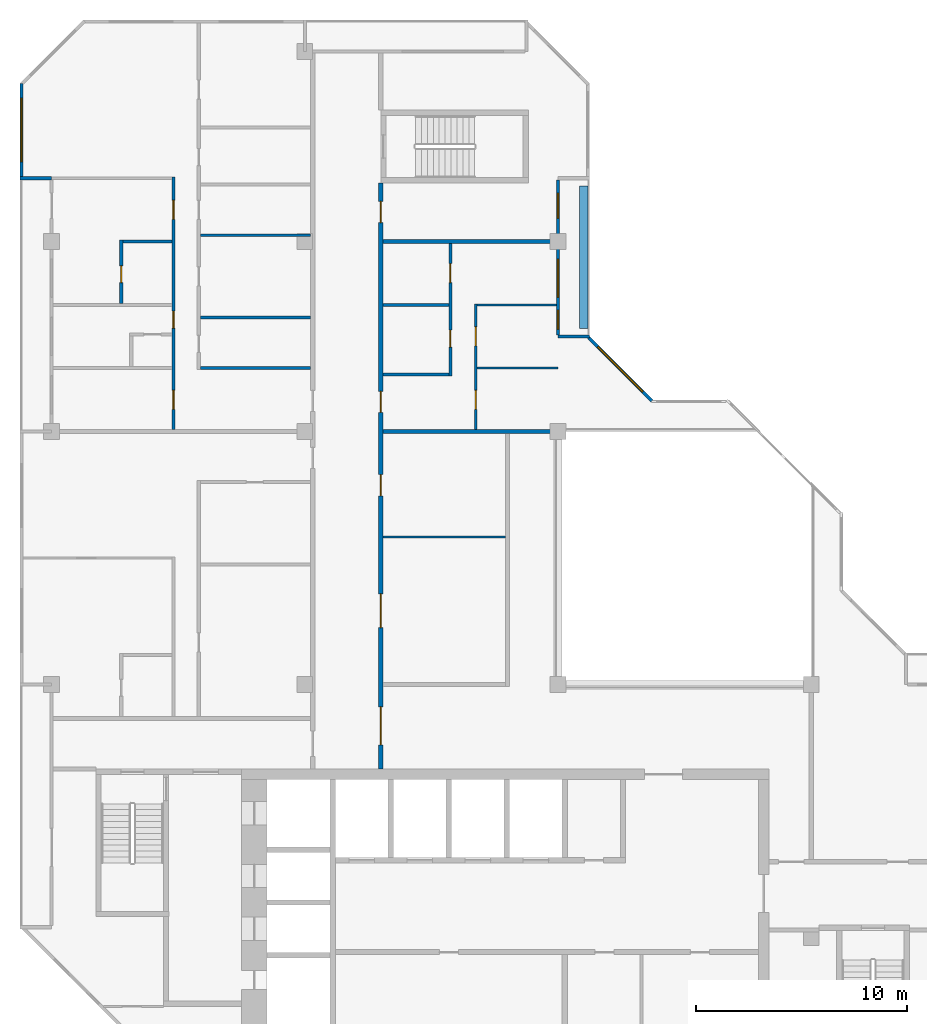
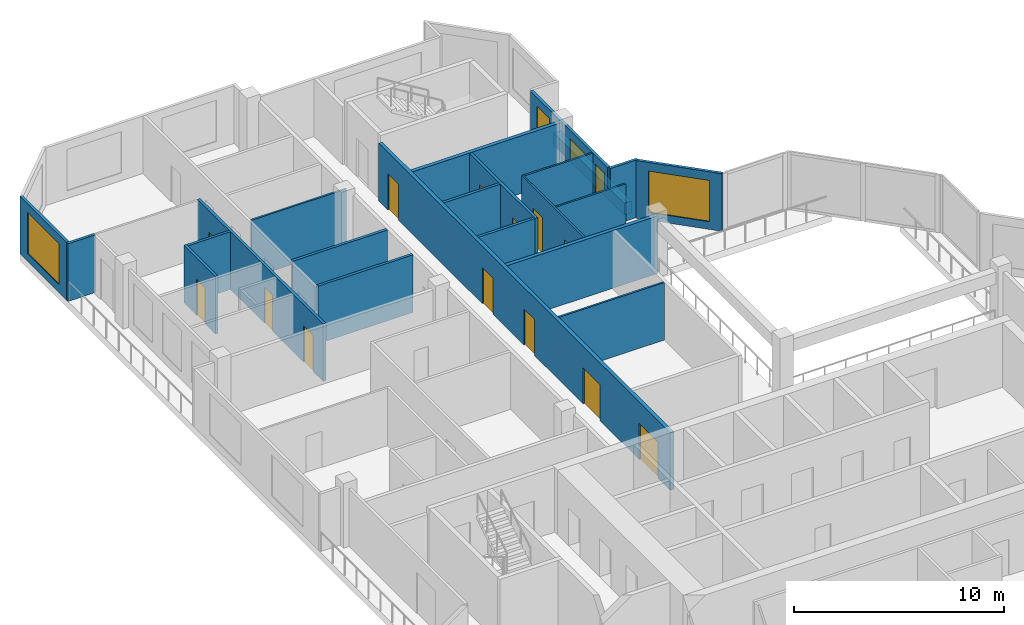
# One storey, part 8 of 12: 22 walls, 13 doors, 5 windows, 18 openings.
"""IFC4 building model written with IfcOpenShell, lengths in metres."""

from ifc_helpers import new_model, si_unit, direction, frame, frame_2d, origin, place, context, subcontext, project, spatial, rectangle, extrude, material, layer, layer_set, type_object, element, fill, save


model = new_model("IFC4")

# Units and contexts
model_context = context("Model", 3, precision=1e-05, world=origin(), true_north=direction((0.0, 1.0)))
body_context = subcontext(model_context, "Body", "Model", "MODEL_VIEW")
ifc_project = project(units=[si_unit("LENGTHUNIT", "METRE"), si_unit("AREAUNIT", "SQUARE_METRE"), si_unit("VOLUMEUNIT", "CUBIC_METRE"), si_unit("PLANEANGLEUNIT", "RADIAN"), si_unit("MASSUNIT", "GRAM", prefix="KILO")], contexts=[model_context])

# Site, building, storey
site_placement = place(None, origin())
site = spatial("IfcSite", under=ifc_project, at=site_placement, CompositionType="ELEMENT")
building_placement = place(site_placement, origin())
building = spatial("IfcBuilding", under=site, at=building_placement, Name="Chenar Terraces", CompositionType="ELEMENT")
storey_placement = place(building_placement, frame((0.0, 0.0, 350.14990234375)))
storey = spatial("IfcBuildingStorey", under=building, at=storey_placement, Name="L81", CompositionType="ELEMENT", Elevation=350.14990234375)

# Wall, openings, doors
ifc_material_1 = material(Name="Gypsum board on steel studs with fire boards", Category="steel")
ifc_layer_1 = layer(ifc_material_1, 0.199951171875)
ifc_layer_set_1 = layer_set([ifc_layer_1], Name="Gypsum board on steel studs with fire boards")
wall_type_1 = type_object("IfcWallType", Name="Corridor wall 200", PredefinedType="PARTITIONING", material=ifc_layer_set_1)
wall_1_placement = place(storey_placement, frame((15.60009765625, 20.0, 0.0), z_axis=(0.0, 0.0, 1.0), x_axis=(0.0, 1.0, 0.0)))
wall_1 = element("IfcWall", 1, at=wall_1_placement, inside=storey, type_object=wall_type_1, Name="Partition L81-031", PredefinedType="PARTITIONING", context=body_context, shape_type="SweptSolid", body=[
    extrude(rectangle(XDim=27.77490234375, YDim=0.199951171875, at=frame_2d((13.887451171875, 0.0))), origin(), (0.0, 0.0, 1.0), 3.35009765625),
])
opening_1_placement = place(wall_1_placement, frame((6.699951171875, 0.0, 0.0)))
opening_1 = element("IfcOpeningElement", 2, at=opening_1_placement, cuts=wall_1, Name="Opening DL81-1", PredefinedType="OPENING", context=body_context, shape_type="SweptSolid", body=[
    extrude(rectangle(XDim=1.60009765625, YDim=2.10009765625, at=frame_2d((0.800048828125, 1.050048828125))), frame((0.0, 0.10986328125, 0.0), z_axis=(0.0, -1.0, 0.0), x_axis=(1.0, 0.0, 0.0)), (0.0, 0.0, 1.0), 0.219970703125),
])
opening_2_placement = place(wall_1_placement, frame((12.949951171875, 0.0, 0.0)))
opening_2 = element("IfcOpeningElement", 3, at=opening_2_placement, cuts=wall_1, Name="Opening DL81-2", PredefinedType="OPENING", context=body_context, shape_type="SweptSolid", body=[
    extrude(rectangle(XDim=1.0, YDim=2.10009765625, at=frame_2d((0.5, 1.050048828125))), frame((0.0, 0.10986328125, 0.0), z_axis=(0.0, -1.0, 0.0), x_axis=(1.0, 0.0, 0.0)), (0.0, 0.0, 1.0), 0.219970703125),
])
opening_3_placement = place(wall_1_placement, frame((16.89990234375, 0.0, 0.0)))
opening_3 = element("IfcOpeningElement", 4, at=opening_3_placement, cuts=wall_1, Name="Opening DL81-8", PredefinedType="OPENING", context=body_context, shape_type="SweptSolid", body=[
    extrude(rectangle(XDim=1.0, YDim=2.10009765625, at=frame_2d((0.5, 1.050048828125))), frame((0.0, 0.10986328125, 0.0), z_axis=(0.0, -1.0, 0.0), x_axis=(1.0, 0.0, 0.0)), (0.0, 0.0, 1.0), 0.219970703125),
])
opening_4_placement = place(wall_1_placement, frame((1.14990234375, 0.0, 0.0)))
opening_4 = element("IfcOpeningElement", 5, at=opening_4_placement, cuts=wall_1, Name="Opening DL81-21", PredefinedType="OPENING", context=body_context, shape_type="SweptSolid", body=[
    extrude(rectangle(XDim=1.800048828125, YDim=2.10009765625, at=frame_2d((0.89990234375, 1.050048828125))), frame((0.0, 0.10986328125, 0.0), z_axis=(0.0, -1.0, 0.0), x_axis=(1.0, 0.0, 0.0)), (0.0, 0.0, 1.0), 0.219970703125),
])
opening_5_placement = place(wall_1_placement, frame((25.89990234375, 0.0, 0.0)))
opening_5 = element("IfcOpeningElement", 6, at=opening_5_placement, cuts=wall_1, Name="Opening DL81-24", PredefinedType="OPENING", context=body_context, shape_type="SweptSolid", body=[
    extrude(rectangle(XDim=1.0, YDim=2.10009765625, at=frame_2d((0.5, 1.050048828125))), frame((0.0, 0.10986328125, 0.0), z_axis=(0.0, -1.0, 0.0), x_axis=(1.0, 0.0, 0.0)), (0.0, 0.0, 1.0), 0.219970703125),
])
ifc_material_2 = material(Name="Steel-framed fire-resisting door leaf", Category="steel")
door_type_1 = type_object("IfcDoorType", Name="Fire door FD60 1000 x 2100", OperationType="SINGLE_SWING_LEFT", PredefinedType="DOOR", material=ifc_material_2)
door_1_placement = place(opening_2_placement, frame((1.0, 0.0, 0.0), z_axis=(0.0, 0.0, 1.0), x_axis=(-1.0, 0.0, 0.0)))
door_1 = element("IfcDoor", 7, at=door_1_placement, inside=storey, type_object=door_type_1, Name="Door DL81-2", OperationType="SINGLE_SWING_LEFT", OverallHeight=2.10009765625, OverallWidth=1.0, PredefinedType="DOOR", context=body_context, shape_type="SweptSolid", body=[
    extrude(rectangle(XDim=1.0, YDim=2.10009765625, at=frame_2d((0.5, 1.050048828125))), frame((0.0, 0.02490234375, 0.0), z_axis=(0.0, -1.0, 0.0), x_axis=(1.0, 0.0, 0.0)), (0.0, 0.0, 1.0), 0.050048828125),
])
fill(opening_2, door_1)
door_2_placement = place(opening_3_placement, frame((1.0, 0.0, 0.0), z_axis=(0.0, 0.0, 1.0), x_axis=(-1.0, 0.0, 0.0)))
door_2 = element("IfcDoor", 8, at=door_2_placement, inside=storey, type_object=door_type_1, Name="Door DL81-8", OperationType="SINGLE_SWING_LEFT", OverallHeight=2.10009765625, OverallWidth=1.0, PredefinedType="DOOR", context=body_context, shape_type="SweptSolid", body=[
    extrude(rectangle(XDim=1.0, YDim=2.10009765625, at=frame_2d((0.5, 1.050048828125))), frame((0.0, 0.02490234375, 0.0), z_axis=(0.0, -1.0, 0.0), x_axis=(1.0, 0.0, 0.0)), (0.0, 0.0, 1.0), 0.050048828125),
])
fill(opening_3, door_2)
door_3_placement = place(opening_5_placement, frame((1.0, 0.0, 0.0), z_axis=(0.0, 0.0, 1.0), x_axis=(-1.0, 0.0, 0.0)))
door_3 = element("IfcDoor", 9, at=door_3_placement, inside=storey, type_object=door_type_1, Name="Door DL81-24", OperationType="SINGLE_SWING_RIGHT", OverallHeight=2.10009765625, OverallWidth=1.0, PredefinedType="DOOR", context=body_context, shape_type="SweptSolid", body=[
    extrude(rectangle(XDim=1.0, YDim=2.10009765625, at=frame_2d((0.5, 1.050048828125))), frame((0.0, 0.02490234375, 0.0), z_axis=(0.0, -1.0, 0.0), x_axis=(1.0, 0.0, 0.0)), (0.0, 0.0, 1.0), 0.050048828125),
])
fill(opening_5, door_3)
ifc_material_3 = material(Name="Steel-framed fire-resisting door leaf", Category="steel")
door_type_2 = type_object("IfcDoorType", Name="Fire double door FD60 1600 x 2100", OperationType="DOUBLE_DOOR_SINGLE_SWING", PredefinedType="DOOR", material=ifc_material_3)
door_4_placement = place(opening_1_placement, frame((1.60009765625, 0.0, 0.0), z_axis=(0.0, 0.0, 1.0), x_axis=(-1.0, 0.0, 0.0)))
door_4 = element("IfcDoor", 10, at=door_4_placement, inside=storey, type_object=door_type_2, Name="Door DL81-1", OperationType="DOUBLE_DOOR_SINGLE_SWING", OverallHeight=2.10009765625, OverallWidth=1.60009765625, PredefinedType="DOOR", context=body_context, shape_type="SweptSolid", body=[
    extrude(rectangle(XDim=1.60009765625, YDim=2.10009765625, at=frame_2d((0.800048828125, 1.050048828125))), frame((0.0, 0.02490234375, 0.0), z_axis=(0.0, -1.0, 0.0), x_axis=(1.0, 0.0, 0.0)), (0.0, 0.0, 1.0), 0.050048828125),
])
fill(opening_1, door_4)
ifc_material_4 = material(Name="Steel-framed fire-resisting door leaf", Category="steel")
door_type_3 = type_object("IfcDoorType", Name="Fire double door FD60 1800 x 2100", OperationType="DOUBLE_DOOR_SINGLE_SWING", PredefinedType="DOOR", material=ifc_material_4)
door_5_placement = place(opening_4_placement, frame((1.800048828125, 0.0, 0.0), z_axis=(0.0, 0.0, 1.0), x_axis=(-1.0, 0.0, 0.0)))
door_5 = element("IfcDoor", 11, at=door_5_placement, inside=storey, type_object=door_type_3, Name="Door DL81-21", OperationType="DOUBLE_DOOR_SINGLE_SWING", OverallHeight=2.10009765625, OverallWidth=1.800048828125, PredefinedType="DOOR", context=body_context, shape_type="SweptSolid", body=[
    extrude(rectangle(XDim=1.800048828125, YDim=2.10009765625, at=frame_2d((0.89990234375, 1.050048828125))), frame((0.0, 0.02490234375, 0.0), z_axis=(0.0, -1.0, 0.0), x_axis=(1.0, 0.0, 0.0)), (0.0, 0.0, 1.0), 0.050048828125),
])
fill(opening_4, door_5)

# Wall, opening, window
ifc_material_5 = material(Name="Aluminium framed glazing", Category="aluminium")
ifc_layer_2 = layer(ifc_material_5, 0.14990234375)
ifc_layer_set_2 = layer_set([ifc_layer_2], Name="Aluminium framed glazing")
wall_type_2 = type_object("IfcWallType", Name="Glazed flush facade wall 150", PredefinedType="SOLIDWALL", material=ifc_layer_set_2)
wall_2_placement = place(storey_placement, frame((-1.425048828125, 52.5, 0.0), z_axis=(0.0, 0.0, 1.0), x_axis=(0.0, -1.0, 0.0)))
wall_2 = element("IfcWall", 12, at=wall_2_placement, inside=storey, type_object=wall_type_2, Name="Glazed flush facade wall", PredefinedType="SOLIDWALL", context=body_context, shape_type="SweptSolid", body=[
    extrude(rectangle(XDim=4.425048828125, YDim=0.14990234375, at=frame_2d((2.21240234375, 0.0))), origin(), (0.0, 0.0, 1.0), 3.35009765625),
])
opening_6_placement = place(wall_2_placement, frame((0.71240234375, 0.0, 0.449951171875)))
opening_6 = element("IfcOpeningElement", 13, at=opening_6_placement, cuts=wall_2, Name="Opening W300x240", PredefinedType="OPENING", context=body_context, shape_type="SweptSolid", body=[
    extrude(rectangle(XDim=3.0, YDim=2.39990234375, at=frame_2d((1.5, 1.199951171875))), frame((0.0, 0.0849609375, 0.0), z_axis=(0.0, -1.0, 0.0), x_axis=(1.0, 0.0, 0.0)), (0.0, 0.0, 1.0), 0.169921875),
])
ifc_material_6 = material(Name="Low emissivity double glazing, aluminium frame", Category="aluminium")
window_type_1 = type_object("IfcWindowType", Name="Fixed light 3000 x 2400", PartitioningType="SINGLE_PANEL", PredefinedType="WINDOW", material=ifc_material_6)
window_1_placement = place(opening_6_placement, origin())
window_1 = element("IfcWindow", 14, at=window_1_placement, inside=storey, type_object=window_type_1, Name="Window", OverallHeight=2.39990234375, OverallWidth=3.0, PartitioningType="SINGLE_PANEL", PredefinedType="WINDOW", context=body_context, shape_type="SweptSolid", body=[
    extrude(rectangle(XDim=3.0, YDim=2.39990234375, at=frame_2d((1.5, 1.199951171875))), frame((0.0, 0.030029296875, 0.0), z_axis=(0.0, -1.0, 0.0), x_axis=(1.0, 0.0, 0.0)), (0.0, 0.0, 1.0), 0.06005859375),
])
fill(opening_6, window_1)

# Wall, openings, windows
ifc_material_7 = material(Name="Aluminium framed glazing", Category="aluminium")
ifc_layer_3 = layer(ifc_material_7, 0.14990234375)
ifc_layer_set_3 = layer_set([ifc_layer_3], Name="Aluminium framed glazing")
wall_type_3 = type_object("IfcWallType", Name="Glazed loggia back wall 150", PredefinedType="SOLIDWALL", material=ifc_layer_set_3)
wall_3_placement = place(storey_placement, frame((24.0, 40.574951171875, 0.0), z_axis=(0.0, 0.0, 1.0), x_axis=(0.0, 1.0, 0.0)))
wall_3 = element("IfcWall", 15, at=wall_3_placement, inside=storey, type_object=wall_type_3, Name="Glazed loggia back wall", PredefinedType="SOLIDWALL", context=body_context, shape_type="SweptSolid", body=[
    extrude(rectangle(XDim=7.35009765625, YDim=0.14990234375, at=frame_2d((3.675048828125, 0.0))), origin(), (0.0, 0.0, 1.0), 3.35009765625),
])
opening_7_placement = place(wall_3_placement, frame((0.262451171875, 0.0, 0.449951171875)))
opening_7 = element("IfcOpeningElement", 16, at=opening_7_placement, cuts=wall_3, Name="Opening W90x240", PredefinedType="OPENING", context=body_context, shape_type="SweptSolid", body=[
    extrude(rectangle(XDim=0.89990234375, YDim=2.39990234375, at=frame_2d((0.449951171875, 1.199951171875))), frame((0.0, 0.0849609375, 0.0), z_axis=(0.0, -1.0, 0.0), x_axis=(1.0, 0.0, 0.0)), (0.0, 0.0, 1.0), 0.169921875),
])
opening_8_placement = place(wall_3_placement, frame((1.78759765625, 0.0, 0.449951171875)))
opening_8 = element("IfcOpeningElement", 17, at=opening_8_placement, cuts=wall_3, Name="Opening W180x240", PredefinedType="OPENING", context=body_context, shape_type="SweptSolid", body=[
    extrude(rectangle(XDim=1.800048828125, YDim=2.39990234375, at=frame_2d((0.89990234375, 1.199951171875))), frame((0.0, 0.0849609375, 0.0), z_axis=(0.0, -1.0, 0.0), x_axis=(1.0, 0.0, 0.0)), (0.0, 0.0, 1.0), 0.169921875),
])
opening_9_placement = place(wall_3_placement, frame((5.52490234375, 0.0, 0.449951171875)))
opening_9 = element("IfcOpeningElement", 18, at=opening_9_placement, cuts=wall_3, Name="Opening W120x240", PredefinedType="OPENING", context=body_context, shape_type="SweptSolid", body=[
    extrude(rectangle(XDim=1.199951171875, YDim=2.39990234375, at=frame_2d((0.60009765625, 1.199951171875))), frame((0.0, 0.0849609375, 0.0), z_axis=(0.0, -1.0, 0.0), x_axis=(1.0, 0.0, 0.0)), (0.0, 0.0, 1.0), 0.169921875),
])
ifc_material_8 = material(Name="Low emissivity double glazing, aluminium frame", Category="aluminium")
window_type_2 = type_object("IfcWindowType", Name="Fixed light 1200 x 2400", PartitioningType="SINGLE_PANEL", PredefinedType="WINDOW", material=ifc_material_8)
window_2_placement = place(opening_9_placement, origin())
window_2 = element("IfcWindow", 19, at=window_2_placement, inside=storey, type_object=window_type_2, Name="Window", OverallHeight=2.39990234375, OverallWidth=1.199951171875, PartitioningType="SINGLE_PANEL", PredefinedType="WINDOW", context=body_context, shape_type="SweptSolid", body=[
    extrude(rectangle(XDim=1.199951171875, YDim=2.39990234375, at=frame_2d((0.60009765625, 1.199951171875))), frame((0.0, 0.030029296875, 0.0), z_axis=(0.0, -1.0, 0.0), x_axis=(1.0, 0.0, 0.0)), (0.0, 0.0, 1.0), 0.06005859375),
])
fill(opening_9, window_2)
ifc_material_9 = material(Name="Low emissivity double glazing, aluminium frame", Category="aluminium")
window_type_3 = type_object("IfcWindowType", Name="Fixed light 1800 x 2400", PartitioningType="SINGLE_PANEL", PredefinedType="WINDOW", material=ifc_material_9)
window_3_placement = place(opening_8_placement, origin())
window_3 = element("IfcWindow", 20, at=window_3_placement, inside=storey, type_object=window_type_3, Name="Window", OverallHeight=2.39990234375, OverallWidth=1.800048828125, PartitioningType="SINGLE_PANEL", PredefinedType="WINDOW", context=body_context, shape_type="SweptSolid", body=[
    extrude(rectangle(XDim=1.800048828125, YDim=2.39990234375, at=frame_2d((0.89990234375, 1.199951171875))), frame((0.0, 0.030029296875, 0.0), z_axis=(0.0, -1.0, 0.0), x_axis=(1.0, 0.0, 0.0)), (0.0, 0.0, 1.0), 0.06005859375),
])
fill(opening_8, window_3)
ifc_material_10 = material(Name="Low emissivity double glazing, aluminium frame", Category="aluminium")
window_type_4 = type_object("IfcWindowType", Name="Fixed light 900 x 2400", PartitioningType="SINGLE_PANEL", PredefinedType="WINDOW", material=ifc_material_10)
window_4_placement = place(opening_7_placement, origin())
window_4 = element("IfcWindow", 21, at=window_4_placement, inside=storey, type_object=window_type_4, Name="Window", OverallHeight=2.39990234375, OverallWidth=0.89990234375, PartitioningType="SINGLE_PANEL", PredefinedType="WINDOW", context=body_context, shape_type="SweptSolid", body=[
    extrude(rectangle(XDim=0.89990234375, YDim=2.39990234375, at=frame_2d((0.449951171875, 1.199951171875))), frame((0.0, 0.030029296875, 0.0), z_axis=(0.0, -1.0, 0.0), x_axis=(1.0, 0.0, 0.0)), (0.0, 0.0, 1.0), 0.06005859375),
])
fill(opening_7, window_4)

# Walls
ifc_material_11 = material(Name="Gypsum board on steel studs", Category="steel")
ifc_layer_4 = layer(ifc_material_11, 0.10009765625)
ifc_layer_set_4 = layer_set([ifc_layer_4], Name="Gypsum board on steel studs")
wall_type_4 = type_object("IfcWallType", Name="Gypsum partition 100", PredefinedType="PARTITIONING", material=ifc_layer_set_4)
wall_4_placement = place(storey_placement, frame((7.050048828125, 45.300048828125, 0.0), z_axis=(0.0, 0.0, 1.0), x_axis=(1.0, 0.0, 0.0)))
element("IfcWall", 22, at=wall_4_placement, inside=storey, type_object=wall_type_4, Name="Partition L81-023", PredefinedType="PARTITIONING", context=body_context, shape_type="SweptSolid", body=[
    extrude(rectangle(XDim=5.224853515625, YDim=0.10009765625, at=frame_2d((2.6123046875, 0.0))), origin(), (0.0, 0.0, 1.0), 3.35009765625),
])
wall_5_placement = place(storey_placement, frame((15.699951171875, 31.0, 0.0), z_axis=(0.0, 0.0, 1.0), x_axis=(1.0, 0.0, 0.0)))
element("IfcWall", 23, at=wall_5_placement, inside=storey, type_object=wall_type_4, Name="Partition L81-034", PredefinedType="PARTITIONING", context=body_context, shape_type="SweptSolid", body=[
    extrude(rectangle(XDim=5.800048828125, YDim=0.10009765625, at=frame_2d((2.89990234375, 0.0))), origin(), (0.0, 0.0, 1.0), 3.35009765625),
])

# Wall, openings, doors
wall_6_placement = place(storey_placement, frame((20.10009765625, 36.10009765625, 0.0), z_axis=(0.0, 0.0, 1.0), x_axis=(0.0, 1.0, 0.0)))
wall_6 = element("IfcWall", 24, at=wall_6_placement, inside=storey, type_object=wall_type_4, Name="Partition L81-040", PredefinedType="PARTITIONING", context=body_context, shape_type="SweptSolid", body=[
    extrude(rectangle(XDim=5.949951171875, YDim=0.10009765625, at=frame_2d((2.97509765625, 0.0))), origin(), (0.0, 0.0, 1.0), 3.35009765625),
])
opening_10_placement = place(wall_6_placement, frame((0.949951171875, 0.0, 0.0)))
opening_10 = element("IfcOpeningElement", 25, at=opening_10_placement, cuts=wall_6, Name="Opening DL81-5", PredefinedType="OPENING", context=body_context, shape_type="SweptSolid", body=[
    extrude(rectangle(XDim=0.89990234375, YDim=2.10009765625, at=frame_2d((0.449951171875, 1.050048828125))), frame((0.0, 0.06005859375, 0.0), z_axis=(0.0, -1.0, 0.0), x_axis=(1.0, 0.0, 0.0)), (0.0, 0.0, 1.0), 0.1201171875),
])
opening_11_placement = place(wall_6_placement, frame((3.949951171875, 0.0, 0.0)))
opening_11 = element("IfcOpeningElement", 26, at=opening_11_placement, cuts=wall_6, Name="Opening DL81-6", PredefinedType="OPENING", context=body_context, shape_type="SweptSolid", body=[
    extrude(rectangle(XDim=0.89990234375, YDim=2.10009765625, at=frame_2d((0.449951171875, 1.050048828125))), frame((0.0, 0.06005859375, 0.0), z_axis=(0.0, -1.0, 0.0), x_axis=(1.0, 0.0, 0.0)), (0.0, 0.0, 1.0), 0.1201171875),
])
ifc_material_12 = material(Name="Veneered timber door leaf", Category="wood")
door_type_4 = type_object("IfcDoorType", Name="Door 900 x 2100", OperationType="SINGLE_SWING_LEFT", PredefinedType="DOOR", material=ifc_material_12)
door_6_placement = place(opening_10_placement, frame((0.89990234375, 0.0, 0.0), z_axis=(0.0, 0.0, 1.0), x_axis=(-1.0, 0.0, 0.0)))
door_6 = element("IfcDoor", 27, at=door_6_placement, inside=storey, type_object=door_type_4, Name="Door DL81-5", OperationType="SINGLE_SWING_LEFT", OverallHeight=2.10009765625, OverallWidth=0.89990234375, PredefinedType="DOOR", context=body_context, shape_type="SweptSolid", body=[
    extrude(rectangle(XDim=0.89990234375, YDim=2.10009765625, at=frame_2d((0.449951171875, 1.050048828125))), frame((0.0, 0.02490234375, 0.0), z_axis=(0.0, -1.0, 0.0), x_axis=(1.0, 0.0, 0.0)), (0.0, 0.0, 1.0), 0.050048828125),
])
fill(opening_10, door_6)
door_7_placement = place(opening_11_placement, frame((0.89990234375, 0.0, 0.0), z_axis=(0.0, 0.0, 1.0), x_axis=(-1.0, 0.0, 0.0)))
door_7 = element("IfcDoor", 28, at=door_7_placement, inside=storey, type_object=door_type_4, Name="Door DL81-6", OperationType="SINGLE_SWING_LEFT", OverallHeight=2.10009765625, OverallWidth=0.89990234375, PredefinedType="DOOR", context=body_context, shape_type="SweptSolid", body=[
    extrude(rectangle(XDim=0.89990234375, YDim=2.10009765625, at=frame_2d((0.449951171875, 1.050048828125))), frame((0.0, 0.02490234375, 0.0), z_axis=(0.0, -1.0, 0.0), x_axis=(1.0, 0.0, 0.0)), (0.0, 0.0, 1.0), 0.050048828125),
])
fill(opening_11, door_7)

# Walls
wall_7_placement = place(storey_placement, frame((20.14990234375, 39.0, 0.0), z_axis=(0.0, 0.0, 1.0), x_axis=(1.0, 0.0, 0.0)))
element("IfcWall", 29, at=wall_7_placement, inside=storey, type_object=wall_type_4, Name="Partition L81-041", PredefinedType="PARTITIONING", context=body_context, shape_type="SweptSolid", body=[
    extrude(rectangle(XDim=3.85009765625, YDim=0.10009765625, at=frame_2d((1.925048828125, 0.0))), origin(), (0.0, 0.0, 1.0), 3.35009765625),
])
wall_8_placement = place(storey_placement, frame((20.14990234375, 42.0, 0.0), z_axis=(0.0, 0.0, 1.0), x_axis=(1.0, 0.0, 0.0)))
element("IfcWall", 30, at=wall_8_placement, inside=storey, type_object=wall_type_4, Name="Partition L81-042", PredefinedType="PARTITIONING", context=body_context, shape_type="SweptSolid", body=[
    extrude(rectangle(XDim=3.776123046875, YDim=0.10009765625, at=frame_2d((1.88818359375, 0.0))), origin(), (0.0, 0.0, 1.0), 3.35009765625),
])
ifc_material_13 = material(Name="Terracotta cladding on insulated backing", Category="masonry")
ifc_layer_5 = layer(ifc_material_13, 0.14990234375)
ifc_layer_set_5 = layer_set([ifc_layer_5], Name="Terracotta cladding on insulated backing")
wall_type_5 = type_object("IfcWallType", Name="Loggia return wall 150", PredefinedType="SOLIDWALL", material=ifc_layer_set_5)
for number, where, z_axis, x_axis, name in (
    (31, (25.5, 40.5, 0.0), (0.0, 0.0, 1.0), (-1.0, 0.0, 0.0), "Loggia return wall"),
    (32, (-1.5, 48.0, 0.0), (0.0, 0.0, 1.0), (1.0, 0.0, 0.0), "Loggia return wall"),
):
    element("IfcWall", number, at=place(storey_placement, frame(where, z_axis=z_axis, x_axis=x_axis)), inside=storey, type_object=wall_type_5, Name=name, PredefinedType="SOLIDWALL", context=body_context, shape_type="SweptSolid", body=[
        extrude(rectangle(XDim=1.5, YDim=0.14990234375, at=frame_2d((0.75, 0.0))), origin(), (0.0, 0.0, 1.0), 3.35009765625),
    ])

# Wall, opening, window
ifc_material_14 = material(Name="Terracotta cladding on insulated backing", Category="masonry")
ifc_layer_6 = layer(ifc_material_14, 0.14990234375)
ifc_layer_set_6 = layer_set([ifc_layer_6], Name="Terracotta cladding on insulated backing")
wall_type_6 = type_object("IfcWallType", Name="Terracotta rainscreen wall 150", PredefinedType="SOLIDWALL", material=ifc_layer_set_6)
wall_9_placement = place(storey_placement, frame((28.447021484375, 37.447021484375, 0.0), z_axis=(0.0, 0.0, 1.0), x_axis=(-0.707106781187, 0.707106781187, 0.0)))
wall_9 = element("IfcWall", 33, at=wall_9_placement, inside=storey, type_object=wall_type_6, Name="Terracotta rainscreen wall", PredefinedType="SOLIDWALL", context=body_context, shape_type="SweptSolid", body=[
    extrude(rectangle(XDim=4.24267578125, YDim=0.14990234375, at=frame_2d((2.121337890625, 0.0))), origin(), (0.0, 0.0, 1.0), 3.35009765625),
])
opening_12_placement = place(wall_9_placement, frame((0.621337890625, 0.0, 0.449951171875)))
opening_12 = element("IfcOpeningElement", 34, at=opening_12_placement, cuts=wall_9, Name="Opening W300x240", PredefinedType="OPENING", context=body_context, shape_type="SweptSolid", body=[
    extrude(rectangle(XDim=3.0, YDim=2.39990234375, at=frame_2d((1.5, 1.199951171875))), frame((0.0, 0.0849609375, 0.0), z_axis=(0.0, -1.0, 0.0), x_axis=(1.0, 0.0, 0.0)), (0.0, 0.0, 1.0), 0.169921875),
])
window_5_placement = place(opening_12_placement, origin())
window_5 = element("IfcWindow", 35, at=window_5_placement, inside=storey, type_object=window_type_1, Name="Window", OverallHeight=2.39990234375, OverallWidth=3.0, PartitioningType="SINGLE_PANEL", PredefinedType="WINDOW", context=body_context, shape_type="SweptSolid", body=[
    extrude(rectangle(XDim=3.0, YDim=2.39990234375, at=frame_2d((1.5, 1.199951171875))), frame((0.0, 0.030029296875, 0.0), z_axis=(0.0, -1.0, 0.0), x_axis=(1.0, 0.0, 0.0)), (0.0, 0.0, 1.0), 0.06005859375),
])
fill(opening_12, window_5)

# Walls
ifc_material_15 = material(Name="Twin gypsum board on steel studs with mineral wool", Category="steel")
ifc_layer_7 = layer(ifc_material_15, 0.199951171875)
ifc_layer_set_7 = layer_set([ifc_layer_7], Name="Twin gypsum board on steel studs with mineral wool")
wall_type_7 = type_object("IfcWallType", Name="Unit demising wall 200", PredefinedType="PARTITIONING", material=ifc_layer_set_7)
wall_10_placement = place(storey_placement, frame((15.699951171875, 36.0, 0.0), z_axis=(0.0, 0.0, 1.0), x_axis=(1.0, 0.0, 0.0)))
element("IfcWall", 36, at=wall_10_placement, inside=storey, type_object=wall_type_7, Name="Partition L81-035", PredefinedType="PARTITIONING", context=body_context, shape_type="SweptSolid", body=[
    extrude(rectangle(XDim=8.300048828125, YDim=0.199951171875, at=frame_2d((4.14990234375, 0.0))), origin(), (0.0, 0.0, 1.0), 3.35009765625),
])
wall_11_placement = place(storey_placement, frame((15.699951171875, 45.0, 0.0), z_axis=(0.0, 0.0, 1.0), x_axis=(1.0, 0.0, 0.0)))
element("IfcWall", 37, at=wall_11_placement, inside=storey, type_object=wall_type_7, Name="Partition L81-038", PredefinedType="PARTITIONING", context=body_context, shape_type="SweptSolid", body=[
    extrude(rectangle(XDim=8.22607421875, YDim=0.199951171875, at=frame_2d((4.113037109375, 0.0))), origin(), (0.0, 0.0, 1.0), 3.35009765625),
])
ifc_material_16 = material(Name="GRP planter trough")
ifc_layer_8 = layer(ifc_material_16, 0.39990234375)
ifc_layer_set_8 = layer_set([ifc_layer_8], Name="GRP planter trough")
wall_type_8 = type_object("IfcWallType", Name="Vertical greenery planter 400", PredefinedType="SOLIDWALL", material=ifc_layer_set_8)
wall_12_placement = place(storey_placement, frame((25.22900390625, 40.875, 0.0), z_axis=(0.0, 0.0, 1.0), x_axis=(0.0, 1.0, 0.0)))
element("IfcWall", 38, at=wall_12_placement, inside=storey, type_object=wall_type_8, Name="Vertical greenery planter", PredefinedType="SOLIDWALL", context=body_context, shape_type="SweptSolid", body=[
    extrude(rectangle(XDim=6.75, YDim=0.39990234375, at=frame_2d((3.375, 0.0))), origin(), (0.0, 0.0, 1.0), 0.7001953125),
])

# Wall, opening, door
ifc_material_17 = material(Name="Moisture-resistant gypsum board on steel studs", Category="steel")
ifc_layer_9 = layer(ifc_material_17, 0.14990234375)
ifc_layer_set_9 = layer_set([ifc_layer_9], Name="Moisture-resistant gypsum board on steel studs")
wall_type_9 = type_object("IfcWallType", Name="Wet-room partition 150", PredefinedType="PARTITIONING", material=ifc_layer_set_9)
wall_13_placement = place(storey_placement, frame((3.300048828125, 42.074951171875, 0.0), z_axis=(0.0, 0.0, 1.0), x_axis=(0.0, 1.0, 0.0)))
wall_13 = element("IfcWall", 39, at=wall_13_placement, inside=storey, type_object=wall_type_9, Name="Partition L81-010", PredefinedType="PARTITIONING", context=body_context, shape_type="SweptSolid", body=[
    extrude(rectangle(XDim=3.0, YDim=0.14990234375, at=frame_2d((1.5, 0.0))), origin(), (0.0, 0.0, 1.0), 3.35009765625),
])
opening_13_placement = place(wall_13_placement, frame((0.97509765625, 0.0, 0.0)))
opening_13 = element("IfcOpeningElement", 40, at=opening_13_placement, cuts=wall_13, Name="Opening DL81-12", PredefinedType="OPENING", context=body_context, shape_type="SweptSolid", body=[
    extrude(rectangle(XDim=0.800048828125, YDim=2.10009765625, at=frame_2d((0.39990234375, 1.050048828125))), frame((0.0, 0.0849609375, 0.0), z_axis=(0.0, -1.0, 0.0), x_axis=(1.0, 0.0, 0.0)), (0.0, 0.0, 1.0), 0.169921875),
])
ifc_material_18 = material(Name="Veneered timber door leaf", Category="wood")
door_type_5 = type_object("IfcDoorType", Name="Door 800 x 2100", OperationType="SINGLE_SWING_LEFT", PredefinedType="DOOR", material=ifc_material_18)
door_8_placement = place(opening_13_placement, frame((0.800048828125, 0.0, 0.0), z_axis=(0.0, 0.0, 1.0), x_axis=(-1.0, 0.0, 0.0)))
door_8 = element("IfcDoor", 41, at=door_8_placement, inside=storey, type_object=door_type_5, Name="Door DL81-12", OperationType="SINGLE_SWING_RIGHT", OverallHeight=2.10009765625, OverallWidth=0.800048828125, PredefinedType="DOOR", context=body_context, shape_type="SweptSolid", body=[
    extrude(rectangle(XDim=0.800048828125, YDim=2.10009765625, at=frame_2d((0.39990234375, 1.050048828125))), frame((0.0, 0.02490234375, 0.0), z_axis=(0.0, -1.0, 0.0), x_axis=(1.0, 0.0, 0.0)), (0.0, 0.0, 1.0), 0.050048828125),
])
fill(opening_13, door_8)

# Wall
wall_14_placement = place(storey_placement, frame((3.375, 45.0, 0.0), z_axis=(0.0, 0.0, 1.0), x_axis=(1.0, 0.0, 0.0)))
element("IfcWall", 42, at=wall_14_placement, inside=storey, type_object=wall_type_9, Name="Partition L81-012", PredefinedType="PARTITIONING", context=body_context, shape_type="SweptSolid", body=[
    extrude(rectangle(XDim=2.324951171875, YDim=0.14990234375, at=frame_2d((1.16259765625, 0.0))), origin(), (0.0, 0.0, 1.0), 3.35009765625),
])

# Wall, openings, doors
wall_15_placement = place(storey_placement, frame((5.77490234375, 36.10009765625, 0.0), z_axis=(0.0, 0.0, 1.0), x_axis=(0.0, 1.0, 0.0)))
wall_15 = element("IfcWall", 43, at=wall_15_placement, inside=storey, type_object=wall_type_9, Name="Partition L81-016", PredefinedType="PARTITIONING", context=body_context, shape_type="SweptSolid", body=[
    extrude(rectangle(XDim=11.949951171875, YDim=0.14990234375, at=frame_2d((5.97509765625, 0.0))), origin(), (0.0, 0.0, 1.0), 3.35009765625),
])
opening_14_placement = place(wall_15_placement, frame((0.949951171875, 0.0, 0.0)))
opening_14 = element("IfcOpeningElement", 44, at=opening_14_placement, cuts=wall_15, Name="Opening DL81-10", PredefinedType="OPENING", context=body_context, shape_type="SweptSolid", body=[
    extrude(rectangle(XDim=0.89990234375, YDim=2.10009765625, at=frame_2d((0.449951171875, 1.050048828125))), frame((0.0, 0.0849609375, 0.0), z_axis=(0.0, -1.0, 0.0), x_axis=(1.0, 0.0, 0.0)), (0.0, 0.0, 1.0), 0.169921875),
])
opening_15_placement = place(wall_15_placement, frame((9.949951171875, 0.0, 0.0)))
opening_15 = element("IfcOpeningElement", 45, at=opening_15_placement, cuts=wall_15, Name="Opening DL81-11", PredefinedType="OPENING", context=body_context, shape_type="SweptSolid", body=[
    extrude(rectangle(XDim=0.89990234375, YDim=2.10009765625, at=frame_2d((0.449951171875, 1.050048828125))), frame((0.0, 0.0849609375, 0.0), z_axis=(0.0, -1.0, 0.0), x_axis=(1.0, 0.0, 0.0)), (0.0, 0.0, 1.0), 0.169921875),
])
opening_16_placement = place(wall_15_placement, frame((4.800048828125, 0.0, 0.0)))
opening_16 = element("IfcOpeningElement", 46, at=opening_16_placement, cuts=wall_15, Name="Opening DL81-15", PredefinedType="OPENING", context=body_context, shape_type="SweptSolid", body=[
    extrude(rectangle(XDim=0.800048828125, YDim=2.10009765625, at=frame_2d((0.39990234375, 1.050048828125))), frame((0.0, 0.0849609375, 0.0), z_axis=(0.0, -1.0, 0.0), x_axis=(1.0, 0.0, 0.0)), (0.0, 0.0, 1.0), 0.169921875),
])
door_9_placement = place(opening_16_placement, origin())
door_9 = element("IfcDoor", 47, at=door_9_placement, inside=storey, type_object=door_type_5, Name="Door DL81-15", OperationType="SINGLE_SWING_RIGHT", OverallHeight=2.10009765625, OverallWidth=0.800048828125, PredefinedType="DOOR", context=body_context, shape_type="SweptSolid", body=[
    extrude(rectangle(XDim=0.800048828125, YDim=2.10009765625, at=frame_2d((0.39990234375, 1.050048828125))), frame((0.0, 0.02490234375, 0.0), z_axis=(0.0, -1.0, 0.0), x_axis=(1.0, 0.0, 0.0)), (0.0, 0.0, 1.0), 0.050048828125),
])
fill(opening_16, door_9)
door_10_placement = place(opening_14_placement, origin())
door_10 = element("IfcDoor", 48, at=door_10_placement, inside=storey, type_object=door_type_4, Name="Door DL81-10", OperationType="SINGLE_SWING_RIGHT", OverallHeight=2.10009765625, OverallWidth=0.89990234375, PredefinedType="DOOR", context=body_context, shape_type="SweptSolid", body=[
    extrude(rectangle(XDim=0.89990234375, YDim=2.10009765625, at=frame_2d((0.449951171875, 1.050048828125))), frame((0.0, 0.02490234375, 0.0), z_axis=(0.0, -1.0, 0.0), x_axis=(1.0, 0.0, 0.0)), (0.0, 0.0, 1.0), 0.050048828125),
])
fill(opening_14, door_10)
door_11_placement = place(opening_15_placement, origin())
door_11 = element("IfcDoor", 49, at=door_11_placement, inside=storey, type_object=door_type_4, Name="Door DL81-11", OperationType="SINGLE_SWING_RIGHT", OverallHeight=2.10009765625, OverallWidth=0.89990234375, PredefinedType="DOOR", context=body_context, shape_type="SweptSolid", body=[
    extrude(rectangle(XDim=0.89990234375, YDim=2.10009765625, at=frame_2d((0.449951171875, 1.050048828125))), frame((0.0, 0.02490234375, 0.0), z_axis=(0.0, -1.0, 0.0), x_axis=(1.0, 0.0, 0.0)), (0.0, 0.0, 1.0), 0.050048828125),
])
fill(opening_15, door_11)

# Walls
for number, where, z_axis, x_axis, name in (
    (50, (7.050048828125, 39.0, 0.0), (0.0, 0.0, 1.0), (1.0, 0.0, 0.0), "Partition L81-021"),
    (51, (7.050048828125, 41.39990234375, 0.0), (0.0, 0.0, 1.0), (1.0, 0.0, 0.0), "Partition L81-022"),
):
    element("IfcWall", number, at=place(storey_placement, frame(where, z_axis=z_axis, x_axis=x_axis)), inside=storey, type_object=wall_type_9, Name=name, PredefinedType="PARTITIONING", context=body_context, shape_type="SweptSolid", body=[
        extrude(rectangle(XDim=5.224853515625, YDim=0.14990234375, at=frame_2d((2.6123046875, 0.0))), origin(), (0.0, 0.0, 1.0), 3.35009765625),
    ])
for number, where, z_axis, x_axis, name in (
    (52, (15.699951171875, 38.699951171875, 0.0), (0.0, 0.0, 1.0), (1.0, 0.0, 0.0), "Partition L81-036"),
    (53, (15.699951171875, 42.0, 0.0), (0.0, 0.0, 1.0), (1.0, 0.0, 0.0), "Partition L81-037"),
):
    element("IfcWall", number, at=place(storey_placement, frame(where, z_axis=z_axis, x_axis=x_axis)), inside=storey, type_object=wall_type_9, Name=name, PredefinedType="PARTITIONING", context=body_context, shape_type="SweptSolid", body=[
        extrude(rectangle(XDim=3.125, YDim=0.14990234375, at=frame_2d((1.5625, 0.0))), origin(), (0.0, 0.0, 1.0), 3.35009765625),
    ])

# Wall, openings, doors
wall_16_placement = place(storey_placement, frame((18.89990234375, 38.625, 0.0), z_axis=(0.0, 0.0, 1.0), x_axis=(0.0, 1.0, 0.0)))
wall_16 = element("IfcWall", 54, at=wall_16_placement, inside=storey, type_object=wall_type_9, Name="Partition L81-039", PredefinedType="PARTITIONING", context=body_context, shape_type="SweptSolid", body=[
    extrude(rectangle(XDim=6.27490234375, YDim=0.14990234375, at=frame_2d((3.137451171875, 0.0))), origin(), (0.0, 0.0, 1.0), 3.35009765625),
])
opening_17_placement = place(wall_16_placement, frame((1.375, 0.0, 0.0)))
opening_17 = element("IfcOpeningElement", 55, at=opening_17_placement, cuts=wall_16, Name="Opening DL81-4", PredefinedType="OPENING", context=body_context, shape_type="SweptSolid", body=[
    extrude(rectangle(XDim=0.800048828125, YDim=2.10009765625, at=frame_2d((0.39990234375, 1.050048828125))), frame((0.0, 0.0849609375, 0.0), z_axis=(0.0, -1.0, 0.0), x_axis=(1.0, 0.0, 0.0)), (0.0, 0.0, 1.0), 0.169921875),
])
opening_18_placement = place(wall_16_placement, frame((4.425048828125, 0.0, 0.0)))
opening_18 = element("IfcOpeningElement", 56, at=opening_18_placement, cuts=wall_16, Name="Opening DL81-7", PredefinedType="OPENING", context=body_context, shape_type="SweptSolid", body=[
    extrude(rectangle(XDim=0.89990234375, YDim=2.10009765625, at=frame_2d((0.449951171875, 1.050048828125))), frame((0.0, 0.0849609375, 0.0), z_axis=(0.0, -1.0, 0.0), x_axis=(1.0, 0.0, 0.0)), (0.0, 0.0, 1.0), 0.169921875),
])
door_12_placement = place(opening_17_placement, origin())
door_12 = element("IfcDoor", 57, at=door_12_placement, inside=storey, type_object=door_type_5, Name="Door DL81-4", OperationType="SINGLE_SWING_RIGHT", OverallHeight=2.10009765625, OverallWidth=0.800048828125, PredefinedType="DOOR", context=body_context, shape_type="SweptSolid", body=[
    extrude(rectangle(XDim=0.800048828125, YDim=2.10009765625, at=frame_2d((0.39990234375, 1.050048828125))), frame((0.0, 0.02490234375, 0.0), z_axis=(0.0, -1.0, 0.0), x_axis=(1.0, 0.0, 0.0)), (0.0, 0.0, 1.0), 0.050048828125),
])
fill(opening_17, door_12)
door_13_placement = place(opening_18_placement, origin())
door_13 = element("IfcDoor", 58, at=door_13_placement, inside=storey, type_object=door_type_4, Name="Door DL81-7", OperationType="SINGLE_SWING_RIGHT", OverallHeight=2.10009765625, OverallWidth=0.89990234375, PredefinedType="DOOR", context=body_context, shape_type="SweptSolid", body=[
    extrude(rectangle(XDim=0.89990234375, YDim=2.10009765625, at=frame_2d((0.449951171875, 1.050048828125))), frame((0.0, 0.02490234375, 0.0), z_axis=(0.0, -1.0, 0.0), x_axis=(1.0, 0.0, 0.0)), (0.0, 0.0, 1.0), 0.050048828125),
])
fill(opening_18, door_13)

save(model, "model.ifc")
